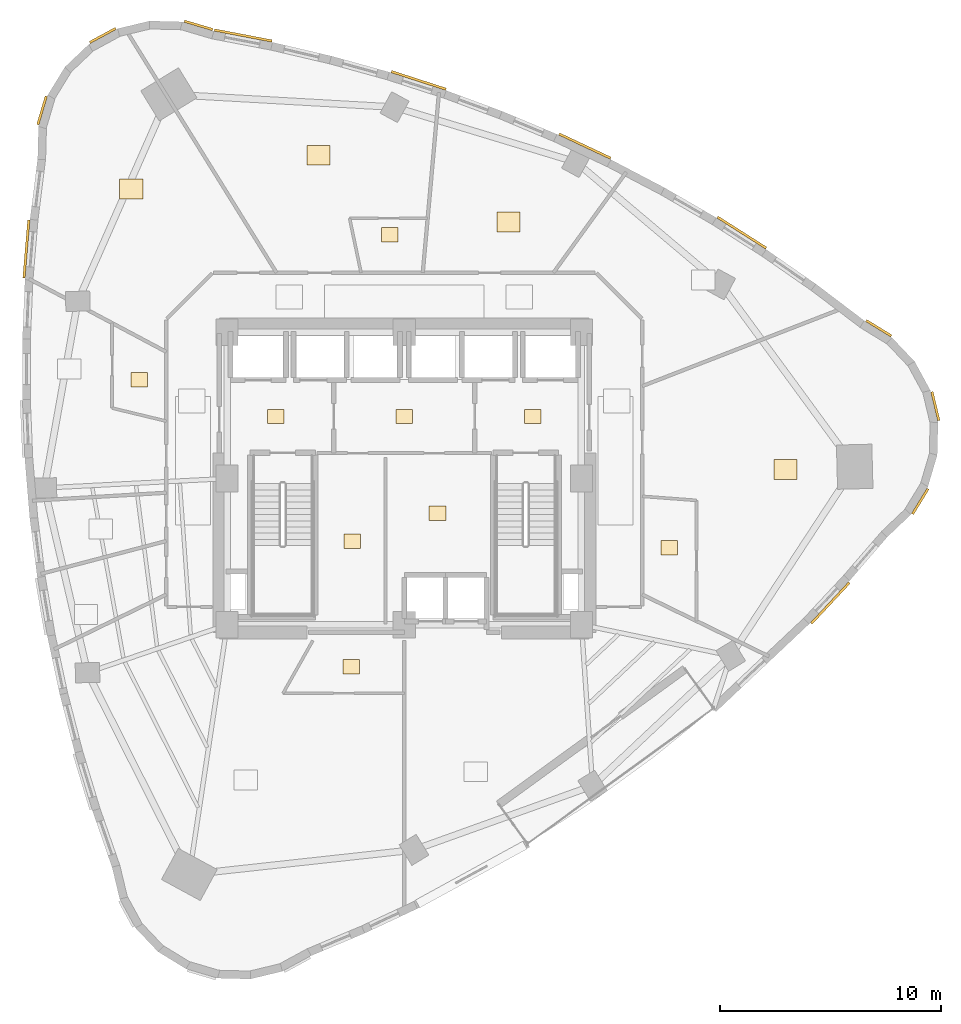
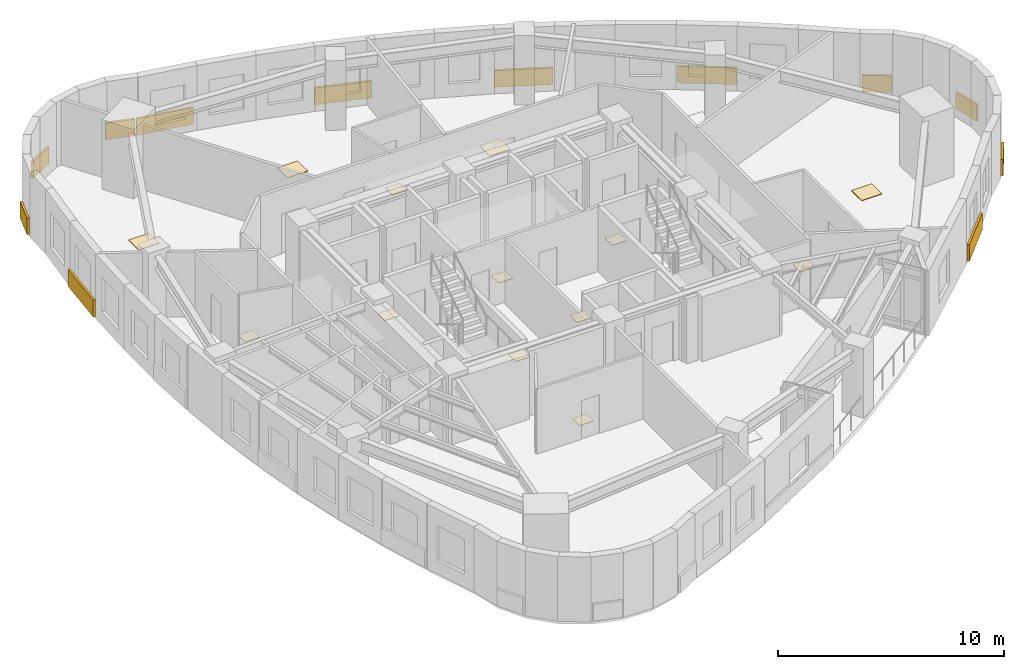
# One storey, part 11 of 11: 25 coverings.
"""IFC4 building model written with IfcOpenShell, lengths in metres."""

from ifc_helpers import new_model, si_unit, direction, frame, origin, origin_2d, place, context, subcontext, project, spatial, rectangle, extrude, material, layer, layer_set, type_object, element, save


model = new_model("IFC4")

# Units and contexts
model_context = context("Model", 3, precision=1e-05, world=origin(), true_north=direction((0.0, 1.0)))
body_context = subcontext(model_context, "Body", "Model", "MODEL_VIEW")
ifc_project = project(units=[si_unit("LENGTHUNIT", "METRE"), si_unit("AREAUNIT", "SQUARE_METRE"), si_unit("VOLUMEUNIT", "CUBIC_METRE"), si_unit("PLANEANGLEUNIT", "RADIAN"), si_unit("MASSUNIT", "GRAM", prefix="KILO")], contexts=[model_context])

# Site, building, storey
site_placement = place(None, origin())
site = spatial("IfcSite", under=ifc_project, at=site_placement, CompositionType="ELEMENT")
building_placement = place(site_placement, origin())
building = spatial("IfcBuilding", under=site, at=building_placement, Name="Ndelora Gate Hotel", CompositionType="ELEMENT")
storey_placement = place(building_placement, frame((0.0, 0.0, 146.0)))
storey = spatial("IfcBuildingStorey", under=building, at=storey_placement, Name="L36", CompositionType="ELEMENT", Elevation=146.0)

# Coverings
ifc_material_1 = material(Name="Terracotta Fired Clay Brick Slip Cladding", Category="masonry")
ifc_layer_1 = layer(ifc_material_1, 0.110107421875)
ifc_layer_set_1 = layer_set([ifc_layer_1], Name="Terracotta Fired Clay Brick Slip Cladding")
covering_type_1 = type_object("IfcCoveringType", Name="COV-CLAD-BRK", PredefinedType="CLADDING", material=ifc_layer_set_1)
for number, where, z_axis, x_axis, name in (
    (1, (-9.29443359375, 20.468017578125, 0.10009765625), (0.0, 0.0, 1.0), (-0.958819734868, 0.284015344704, 0.0), "L36 Rounded-Corner Brick Cladding Band 1"),
    (2, (-13.622802734375, 20.012939453125, 0.10009765625), (0.0, 0.0, 1.0), (0.878817112662, 0.47715876026, 0.0), "L36 Rounded-Corner Brick Cladding Band 4"),
    (3, (-16.36181640625, 16.630615234375, 0.10009765625), (0.0, 0.0, 1.0), (0.284015344704, 0.958819734868, 0.0), "L36 Rounded-Corner Brick Cladding Band 7"),
):
    element("IfcCovering", number, at=place(storey_placement, frame(where, z_axis=z_axis, x_axis=x_axis)), inside=storey, type_object=covering_type_1, Name=name, PredefinedType="CLADDING", context=body_context, shape_type="SweptSolid", body=[
        extrude(rectangle(XDim=1.3359375, YDim=0.110107421875, at=origin_2d()), origin(), (0.0, 0.0, 1.0), 0.89990234375),
    ])
covering_1_placement = place(storey_placement, frame((-17.06982421875, 10.371826171875, 0.10009765625), z_axis=(0.0, 0.0, 1.0), x_axis=(0.084199594279, 0.996448909038, 0.0)))
element("IfcCovering", 4, at=covering_1_placement, inside=storey, type_object=covering_type_1, Name="L36 Rounded-Corner Brick Cladding Band 10", PredefinedType="CLADDING", context=body_context, shape_type="SweptSolid", body=[
    extrude(rectangle(XDim=2.6279296875, YDim=0.110107421875, at=origin_2d()), origin(), (0.0, 0.0, 1.0), 0.89990234375),
])
covering_2_placement = place(storey_placement, frame((19.242431640625, -5.626220703125, 0.10009765625), z_axis=(0.0, 0.0, 1.0), x_axis=(0.682381202461, 0.730996507877, 0.0)))
element("IfcCovering", 5, at=covering_2_placement, inside=storey, type_object=covering_type_1, Name="L36 Rounded-Corner Brick Cladding Band 37", PredefinedType="CLADDING", context=body_context, shape_type="SweptSolid", body=[
    extrude(rectangle(XDim=2.52001953125, YDim=0.110107421875, at=origin_2d()), origin(), (0.0, 0.0, 1.0), 0.89990234375),
])
for number, where, z_axis, x_axis, name in (
    (6, (23.30712890625, -1.031005859375, 0.10009765625), (0.0, 0.0, 1.0), (0.522498564716, 0.852640164354, 0.0), "L36 Rounded-Corner Brick Cladding Band 40"),
    (7, (23.988037109375, 3.267578125, 0.10009765625), (0.0, 0.0, 1.0), (-0.233445363856, 0.972369920398, 0.0), "L36 Rounded-Corner Brick Cladding Band 43"),
    (8, (21.4296875, 6.78857421875, 0.10009765625), (0.0, 0.0, 1.0), (-0.852640164354, 0.522498564716, 0.0), "L36 Rounded-Corner Brick Cladding Band 46"),
):
    element("IfcCovering", number, at=place(storey_placement, frame(where, z_axis=z_axis, x_axis=x_axis)), inside=storey, type_object=covering_type_1, Name=name, PredefinedType="CLADDING", context=body_context, shape_type="SweptSolid", body=[
        extrude(rectangle(XDim=1.3359375, YDim=0.110107421875, at=origin_2d()), origin(), (0.0, 0.0, 1.0), 0.89990234375),
    ])
covering_3_placement = place(storey_placement, frame((15.246826171875, 11.108154296875, 0.10009765625), z_axis=(0.0, 0.0, 1.0), x_axis=(-0.843766346142, 0.536710679153, 0.0)))
element("IfcCovering", 9, at=covering_3_placement, inside=storey, type_object=covering_type_1, Name="L36 Rounded-Corner Brick Cladding Band 49", PredefinedType="CLADDING", context=body_context, shape_type="SweptSolid", body=[
    extrude(rectangle(XDim=2.60791015625, YDim=0.110107421875, at=origin_2d()), origin(), (0.0, 0.0, 1.0), 0.89990234375),
])
covering_4_placement = place(storey_placement, frame((8.156982421875, 15.015380859375, 0.10009765625), z_axis=(0.0, 0.0, 1.0), x_axis=(-0.904678372333, 0.426095109843, 0.0)))
element("IfcCovering", 10, at=covering_4_placement, inside=storey, type_object=covering_type_1, Name="L36 Rounded-Corner Brick Cladding Band 52", PredefinedType="CLADDING", context=body_context, shape_type="SweptSolid", body=[
    extrude(rectangle(XDim=2.580078125, YDim=0.110107421875, at=origin_2d()), origin(), (0.0, 0.0, 1.0), 0.89990234375),
])
covering_5_placement = place(storey_placement, frame((0.6484375, 17.983154296875, 0.10009765625), z_axis=(0.0, 0.0, 1.0), x_axis=(-0.951433341896, 0.30785482931, 0.0)))
element("IfcCovering", 11, at=covering_5_placement, inside=storey, type_object=covering_type_1, Name="L36 Rounded-Corner Brick Cladding Band 55", PredefinedType="CLADDING", context=body_context, shape_type="SweptSolid", body=[
    extrude(rectangle(XDim=2.593994140625, YDim=0.110107421875, at=origin_2d()), origin(), (0.0, 0.0, 1.0), 0.89990234375),
])
covering_6_placement = place(storey_placement, frame((-7.27734375, 20.0107421875, 0.10009765625), z_axis=(0.0, 0.0, 1.0), x_axis=(-0.982156194526, 0.188067034735, 0.0)))
element("IfcCovering", 12, at=covering_6_placement, inside=storey, type_object=covering_type_1, Name="L36 Rounded-Corner Brick Cladding Band 58", PredefinedType="CLADDING", context=body_context, shape_type="SweptSolid", body=[
    extrude(rectangle(XDim=2.65087890625, YDim=0.110107421875, at=origin_2d()), origin(), (0.0, 0.0, 1.0), 0.89990234375),
])
ifc_material_2 = material(Name="Engineered Highland Oak Parquet", Category="wood")
ifc_layer_2 = layer(ifc_material_2, 0.030029296875)
ifc_layer_set_2 = layer_set([ifc_layer_2], Name="Engineered Highland Oak Parquet")
covering_type_2 = type_object("IfcCoveringType", Name="COV-FLR-PARQ", PredefinedType="FLOORING", material=ifc_layer_set_2)
for number, where, z_axis, x_axis, name in (
    (13, (17.219482421875, 0.402587890625, 0.0), (0.0, 0.0, 1.0), (1.0, 0.0, 0.0), "L36 Diplomatic Reception Suite 3902 Oak Parquet Flooring"),
    (14, (4.7119140625, 11.581298828125, 0.0), (0.0, 0.0, 1.0), (1.0, 0.0, 0.0), "L36 Wellness Yoga Studio Oak Parquet Flooring"),
    (15, (-3.87158203125, 14.601806640625, 0.0), (0.0, 0.0, 1.0), (1.0, 0.0, 0.0), "L36 South Horizon Suite 3903 Oak Parquet Flooring"),
    (16, (-12.3349609375, 13.0712890625, 0.0), (0.0, 0.0, 1.0), (1.0, 0.0, 0.0), "L36 Boutique Travel Shop Oak Parquet Flooring"),
):
    element("IfcCovering", number, at=place(storey_placement, frame(where, z_axis=z_axis, x_axis=x_axis)), inside=storey, type_object=covering_type_2, Name=name, PredefinedType="FLOORING", context=body_context, shape_type="SweptSolid", body=[
        extrude(rectangle(XDim=1.050048828125, YDim=0.89990234375, at=origin_2d()), origin(), (0.0, 0.0, 1.0), 0.030029296875),
    ])
ifc_material_3 = material(Name="Non-Slip Porcelain Wet-Room Tile", Category="ceramic")
ifc_layer_3 = layer(ifc_material_3, 0.02490234375)
ifc_layer_set_3 = layer_set([ifc_layer_3], Name="Non-Slip Porcelain Wet-Room Tile")
covering_type_3 = type_object("IfcCoveringType", Name="COV-FLR-TILE", PredefinedType="FLOORING", material=ifc_layer_set_3)
for number, where, z_axis, x_axis, name in (
    (17, (-5.800048828125, 2.800048828125, 0.0), (0.0, 0.0, 1.0), (1.0, 0.0, 0.0), "L36 Firefighting Lift Lobby West Porcelain Tile Flooring"),
    (18, (5.800048828125, 2.800048828125, 0.0), (0.0, 0.0, 1.0), (1.0, 0.0, 0.0), "L36 Firefighting Lift Lobby East Porcelain Tile Flooring"),
    (19, (0.0, 2.800048828125, 0.0), (0.0, 0.0, 1.0), (1.0, 0.0, 0.0), "L36 Central Passenger Lift Lobby Porcelain Tile Flooring"),
    (20, (-2.35009765625, -2.824951171875, 0.0), (0.0, 0.0, 1.0), (1.0, 0.0, 0.0), "L36 Core Electrical Switchroom Porcelain Tile Flooring"),
    (21, (1.5, -1.574951171875, 0.0), (0.0, 0.0, 1.0), (1.0, 0.0, 0.0), "L36 Central Linen Equipment Store Porcelain Tile Flooring"),
    (22, (-2.3984375, -8.510009765625, 0.0), (0.0, 0.0, 1.0), (1.0, 0.0, 0.0), "L36 En-suite Bathroom 3901 Porcelain Tile Flooring"),
    (23, (11.97509765625, -3.121337890625, 0.0), (0.0, 0.0, 1.0), (1.0, 0.0, 0.0), "L36 En-suite Bathroom 3902 Porcelain Tile Flooring"),
    (24, (-0.66162109375, 11.004638671875, 0.0), (0.0, 0.0, 1.0), (1.0, 0.0, 0.0), "L36 En-suite Bathroom 3903 Porcelain Tile Flooring"),
    (25, (-11.97509765625, 4.45458984375, 0.0), (0.0, 0.0, 1.0), (1.0, 0.0, 0.0), "L36 En-suite Bathroom 3904 Porcelain Tile Flooring"),
):
    element("IfcCovering", number, at=place(storey_placement, frame(where, z_axis=z_axis, x_axis=x_axis)), inside=storey, type_object=covering_type_3, Name=name, PredefinedType="FLOORING", context=body_context, shape_type="SweptSolid", body=[
        extrude(rectangle(XDim=0.75, YDim=0.64990234375, at=origin_2d()), origin(), (0.0, 0.0, 1.0), 0.02490234375),
    ])

save(model, "model.ifc")
